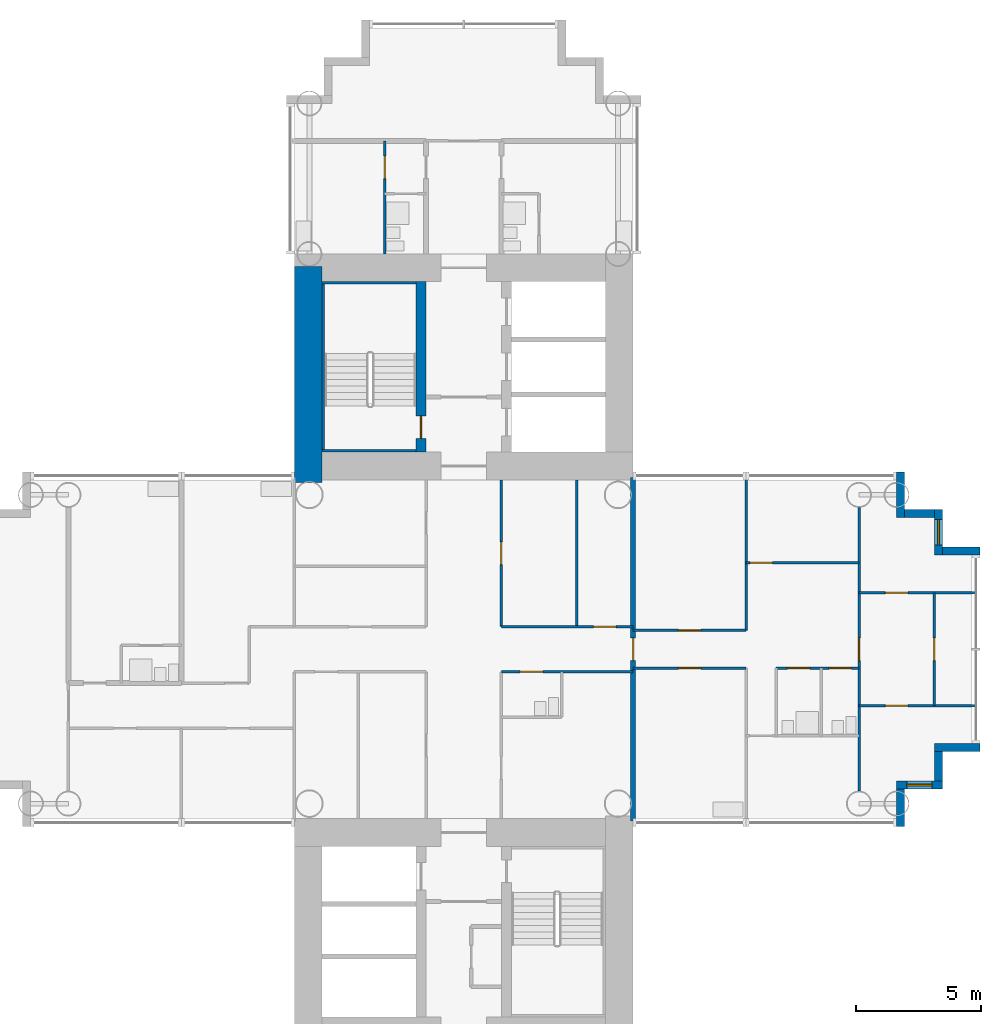
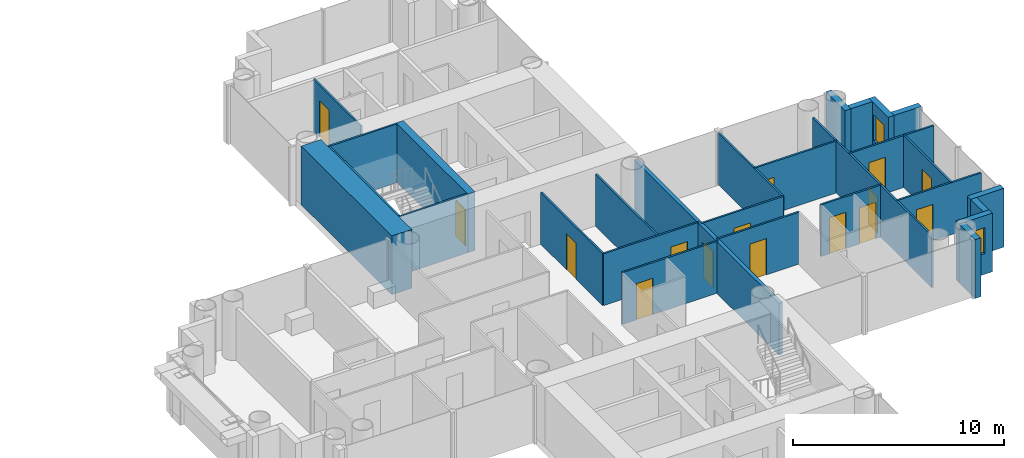
# One storey, part 15 of 22: 28 walls, 15 doors, 2 windows, 17 openings.
"""IFC4 building model written with IfcOpenShell, lengths in metres."""

from ifc_helpers import new_model, si_unit, direction, frame, frame_2d, origin, place, context, subcontext, project, spatial, rectangle, extrude, material, layer, layer_set, type_object, element, fill, save


model = new_model("IFC4")

# Units and contexts
model_context = context("Model", 3, precision=1e-05, world=origin(), true_north=direction((0.0, 1.0)))
body_context = subcontext(model_context, "Body", "Model", "MODEL_VIEW")
ifc_project = project(units=[si_unit("LENGTHUNIT", "METRE"), si_unit("AREAUNIT", "SQUARE_METRE"), si_unit("VOLUMEUNIT", "CUBIC_METRE"), si_unit("PLANEANGLEUNIT", "RADIAN"), si_unit("MASSUNIT", "GRAM", prefix="KILO")], contexts=[model_context])

# Site, building, storey
site_placement = place(None, origin())
site = spatial("IfcSite", under=ifc_project, at=site_placement, CompositionType="ELEMENT")
building_placement = place(site_placement, origin())
building = spatial("IfcBuilding", under=site, at=building_placement, Name="Ipe Terrace Towers", CompositionType="ELEMENT")
storey_placement = place(building_placement, frame((0.0, 0.0, 68.699951171875)))
storey = spatial("IfcBuildingStorey", under=building, at=storey_placement, Name="L18", CompositionType="ELEMENT", Elevation=68.699951171875)

# Wall
ifc_material_1 = material(Name="Concrete C40/50 with buff precast cladding", Category="concrete")
ifc_layer_1 = layer(ifc_material_1, 0.320068359375)
ifc_layer_set_1 = layer_set([ifc_layer_1], Name="BUFF CLADDING WALL 320")
wall_type_1 = type_object("IfcWallType", Name="BUFF CLADDING WALL 320", PredefinedType="STANDARD", material=ifc_layer_set_1)
wall_1_placement = place(storey_placement, frame((53.409912109375, -7.070068359375, -0.300048828125), z_axis=(0.0, 0.0, 1.0), x_axis=(0.0, 1.0, 0.0)))
element("IfcWall", 1, at=wall_1_placement, inside=storey, type_object=wall_type_1, Name="T2-W-L18-08a wall", PredefinedType="STANDARD", context=body_context, shape_type="SweptSolid", body=[
    extrude(rectangle(XDim=1.5, YDim=0.320068359375, at=frame_2d((0.75, 0.0))), origin(), (0.0, 0.0, 1.0), 3.400146484375),
])

# Wall, opening, window
wall_2_placement = place(storey_placement, frame((53.25, -5.409912109375, -0.300048828125), z_axis=(0.0, 0.0, 1.0), x_axis=(1.0, 0.0, 0.0)))
wall_2 = element("IfcWall", 2, at=wall_2_placement, inside=storey, type_object=wall_type_1, Name="T2-W-L18-09a wall", PredefinedType="STANDARD", context=body_context, shape_type="SweptSolid", body=[
    extrude(rectangle(XDim=1.820068359375, YDim=0.320068359375, at=frame_2d((0.91015625, 0.0))), origin(), (0.0, 0.0, 1.0), 3.400146484375),
])
opening_1_placement = place(wall_2_placement, frame((0.409912109375, 0.0, 1.199951171875)))
opening_1 = element("IfcOpeningElement", 3, at=opening_1_placement, cuts=wall_2, Name="Opening T2-W-05-L18-02", PredefinedType="OPENING", context=body_context, shape_type="SweptSolid", body=[
    extrude(rectangle(XDim=1.0, YDim=1.5, at=frame_2d((0.5, 0.75))), frame((0.0, 0.169921875, 0.0), z_axis=(0.0, -1.0, 0.0), x_axis=(1.0, 0.0, 0.0)), (0.0, 0.0, 1.0), 0.340087890625),
])
ifc_material_2 = material(Name="Glass, clear laminated", Category="glass")
window_type = type_object("IfcWindowType", Name="DWELLING WINDOW 1000 x 1500", PartitioningType="SINGLE_PANEL", PredefinedType="WINDOW", material=ifc_material_2)
window_1_placement = place(opening_1_placement, origin())
window_1 = element("IfcWindow", 4, at=window_1_placement, inside=storey, type_object=window_type, Name="W-05 window", OverallHeight=1.5, OverallWidth=1.0, PartitioningType="SINGLE_PANEL", PredefinedType="WINDOW", context=body_context, shape_type="SweptSolid", body=[
    extrude(rectangle(XDim=1.0, YDim=1.5, at=frame_2d((0.5, 0.75))), frame((0.0, 0.030029296875, 0.0), z_axis=(0.0, -1.0, 0.0), x_axis=(1.0, 0.0, 0.0)), (0.0, 0.0, 1.0), 0.06005859375),
])
fill(opening_1, window_1)

# Walls
wall_3_placement = place(storey_placement, frame((54.909912109375, -5.25, -0.300048828125), z_axis=(0.0, 0.0, 1.0), x_axis=(0.0, 1.0, 0.0)))
element("IfcWall", 5, at=wall_3_placement, inside=storey, type_object=wall_type_1, Name="T2-W-L18-10a wall", PredefinedType="STANDARD", context=body_context, shape_type="SweptSolid", body=[
    extrude(rectangle(XDim=1.179931640625, YDim=0.320068359375, at=frame_2d((0.58984375, 0.0))), origin(), (0.0, 0.0, 1.0), 3.400146484375),
])
wall_4_placement = place(storey_placement, frame((54.75, -3.909912109375, -0.300048828125), z_axis=(0.0, 0.0, 1.0), x_axis=(1.0, 0.0, 0.0)))
element("IfcWall", 6, at=wall_4_placement, inside=storey, type_object=wall_type_1, Name="T2-W-L18-11a wall", PredefinedType="STANDARD", context=body_context, shape_type="SweptSolid", body=[
    extrude(rectangle(XDim=1.820068359375, YDim=0.320068359375, at=frame_2d((0.91015625, 0.0))), origin(), (0.0, 0.0, 1.0), 3.400146484375),
])
wall_5_placement = place(storey_placement, frame((56.570068359375, 3.909912109375, -0.300048828125), z_axis=(0.0, 0.0, 1.0), x_axis=(-1.0, 0.0, 0.0)))
element("IfcWall", 7, at=wall_5_placement, inside=storey, type_object=wall_type_1, Name="T2-W-L18-13a wall", PredefinedType="STANDARD", context=body_context, shape_type="SweptSolid", body=[
    extrude(rectangle(XDim=1.5, YDim=0.320068359375, at=frame_2d((0.75, 0.0))), origin(), (0.0, 0.0, 1.0), 3.400146484375),
])

# Wall, opening, window
wall_6_placement = place(storey_placement, frame((54.909912109375, 3.75, -0.300048828125), z_axis=(0.0, 0.0, 1.0), x_axis=(0.0, 1.0, 0.0)))
wall_6 = element("IfcWall", 8, at=wall_6_placement, inside=storey, type_object=wall_type_1, Name="T2-W-L18-14a wall", PredefinedType="STANDARD", context=body_context, shape_type="SweptSolid", body=[
    extrude(rectangle(XDim=1.820068359375, YDim=0.320068359375, at=frame_2d((0.91015625, 0.0))), origin(), (0.0, 0.0, 1.0), 3.400146484375),
])
opening_2_placement = place(wall_6_placement, frame((0.409912109375, 0.0, 1.199951171875)))
opening_2 = element("IfcOpeningElement", 9, at=opening_2_placement, cuts=wall_6, Name="Opening T2-W-05-L18-01", PredefinedType="OPENING", context=body_context, shape_type="SweptSolid", body=[
    extrude(rectangle(XDim=1.0, YDim=1.5, at=frame_2d((0.5, 0.75))), frame((0.0, 0.169921875, 0.0), z_axis=(0.0, -1.0, 0.0), x_axis=(1.0, 0.0, 0.0)), (0.0, 0.0, 1.0), 0.340087890625),
])
window_2_placement = place(opening_2_placement, origin())
window_2 = element("IfcWindow", 10, at=window_2_placement, inside=storey, type_object=window_type, Name="W-05 window", OverallHeight=1.5, OverallWidth=1.0, PartitioningType="SINGLE_PANEL", PredefinedType="WINDOW", context=body_context, shape_type="SweptSolid", body=[
    extrude(rectangle(XDim=1.0, YDim=1.5, at=frame_2d((0.5, 0.75))), frame((0.0, 0.030029296875, 0.0), z_axis=(0.0, -1.0, 0.0), x_axis=(1.0, 0.0, 0.0)), (0.0, 0.0, 1.0), 0.06005859375),
])
fill(opening_2, window_2)

# Walls
wall_7_placement = place(storey_placement, frame((54.75, 5.409912109375, -0.300048828125), z_axis=(0.0, 0.0, 1.0), x_axis=(-1.0, 0.0, 0.0)))
element("IfcWall", 11, at=wall_7_placement, inside=storey, type_object=wall_type_1, Name="T2-W-L18-15a wall", PredefinedType="STANDARD", context=body_context, shape_type="SweptSolid", body=[
    extrude(rectangle(XDim=1.179931640625, YDim=0.320068359375, at=frame_2d((0.58984375, 0.0))), origin(), (0.0, 0.0, 1.0), 3.400146484375),
])
wall_8_placement = place(storey_placement, frame((53.409912109375, 5.25, -0.300048828125), z_axis=(0.0, 0.0, 1.0), x_axis=(0.0, 1.0, 0.0)))
element("IfcWall", 12, at=wall_8_placement, inside=storey, type_object=wall_type_1, Name="T2-W-L18-16a wall", PredefinedType="STANDARD", context=body_context, shape_type="SweptSolid", body=[
    extrude(rectangle(XDim=1.820068359375, YDim=0.320068359375, at=frame_2d((0.91015625, 0.0))), origin(), (0.0, 0.0, 1.0), 3.400146484375),
])

# Wall, opening, door
ifc_material_3 = material(Name="Gypsum board partition", Category="plasterboard")
ifc_layer_2 = layer(ifc_material_3, 0.10009765625)
ifc_layer_set_2 = layer_set([ifc_layer_2], Name="Gypsum board partition 100 mm")
wall_type_2 = type_object("IfcWallType", Name="Gypsum board partition 100 mm", PredefinedType="PARTITIONING", material=ifc_layer_set_2)
wall_9_placement = place(storey_placement, frame((56.35009765625, -2.25, 0.0), z_axis=(0.0, 0.0, 1.0), x_axis=(-1.0, 0.0, 0.0)))
wall_9 = element("IfcWall", 13, at=wall_9_placement, inside=storey, type_object=wall_type_2, Name="Gypsum board partition T2 L18 W07", PredefinedType="PARTITIONING", context=body_context, shape_type="SweptSolid", body=[
    extrude(rectangle(XDim=4.60009765625, YDim=0.10009765625, at=frame_2d((2.300048828125, 0.0))), origin(), (0.0, 0.0, 1.0), 3.0),
])
opening_3_placement = place(wall_9_placement, frame((2.64990234375, 0.0, 0.0)))
opening_3 = element("IfcOpeningElement", 14, at=opening_3_placement, cuts=wall_9, Name="Opening T2-Z1F-25", PredefinedType="OPENING", context=body_context, shape_type="SweptSolid", body=[
    extrude(rectangle(XDim=0.89990234375, YDim=2.10009765625, at=frame_2d((0.449951171875, 1.050048828125))), frame((0.0, 0.06005859375, 0.0), z_axis=(0.0, -1.0, 0.0), x_axis=(1.0, 0.0, 0.0)), (0.0, 0.0, 1.0), 0.1201171875),
])
ifc_material_4 = material(Name="Timber door leaf", Category="wood")
door_type_1 = type_object("IfcDoorType", Name="Bedroom door 900 x 2100", OperationType="NOTDEFINED", PredefinedType="DOOR", material=ifc_material_4)
door_1_placement = place(opening_3_placement, origin())
door_1 = element("IfcDoor", 15, at=door_1_placement, inside=storey, type_object=door_type_1, Name="Bedroom door T2-Z1F-25", OperationType="SINGLE_SWING_LEFT", OverallHeight=2.10009765625, OverallWidth=0.89990234375, PredefinedType="DOOR", context=body_context, shape_type="SweptSolid", body=[
    extrude(rectangle(XDim=0.89990234375, YDim=2.10009765625, at=frame_2d((0.449951171875, 1.050048828125))), frame((0.0, 0.02490234375, 0.0), z_axis=(0.0, -1.0, 0.0), x_axis=(1.0, 0.0, 0.0)), (0.0, 0.0, 1.0), 0.050048828125),
])
fill(opening_3, door_1)

wall_10_placement = place(storey_placement, frame((42.75, -0.89990234375, 0.0), z_axis=(0.0, 0.0, 1.0), x_axis=(-1.0, 0.0, 0.0)))
wall_10 = element("IfcWall", 16, at=wall_10_placement, inside=storey, type_object=wall_type_2, Name="Gypsum board partition T2 L18 W10", PredefinedType="PARTITIONING", context=body_context, shape_type="SweptSolid", body=[
    extrude(rectangle(XDim=5.25, YDim=0.10009765625, at=frame_2d((2.625, 0.0))), origin(), (0.0, 0.0, 1.0), 3.0),
])
opening_4_placement = place(wall_10_placement, frame((3.60009765625, 0.0, 0.0)))
opening_4 = element("IfcOpeningElement", 17, at=opening_4_placement, cuts=wall_10, Name="Opening T2-Z1F-01", PredefinedType="OPENING", context=body_context, shape_type="SweptSolid", body=[
    extrude(rectangle(XDim=0.89990234375, YDim=2.10009765625, at=frame_2d((0.449951171875, 1.050048828125))), frame((0.0, 0.06005859375, 0.0), z_axis=(0.0, -1.0, 0.0), x_axis=(1.0, 0.0, 0.0)), (0.0, 0.0, 1.0), 0.1201171875),
])
ifc_material_5 = material(Name="Timber door leaf", Category="wood")
door_type_2 = type_object("IfcDoorType", Name="Bathroom door 900 x 2100", OperationType="NOTDEFINED", PredefinedType="DOOR", material=ifc_material_5)
door_2_placement = place(opening_4_placement, origin())
door_2 = element("IfcDoor", 18, at=door_2_placement, inside=storey, type_object=door_type_2, Name="Bathroom door T2-Z1F-01", OperationType="SINGLE_SWING_LEFT", OverallHeight=2.10009765625, OverallWidth=0.89990234375, PredefinedType="DOOR", context=body_context, shape_type="SweptSolid", body=[
    extrude(rectangle(XDim=0.89990234375, YDim=2.10009765625, at=frame_2d((0.449951171875, 1.050048828125))), frame((0.0, 0.02490234375, 0.0), z_axis=(0.0, -1.0, 0.0), x_axis=(1.0, 0.0, 0.0)), (0.0, 0.0, 1.0), 0.050048828125),
])
fill(opening_4, door_2)

# Wall, openings, doors
wall_11_placement = place(storey_placement, frame((51.75, -0.75, 0.0), z_axis=(0.0, 0.0, 1.0), x_axis=(-1.0, 0.0, 0.0)))
wall_11 = element("IfcWall", 19, at=wall_11_placement, inside=storey, type_object=wall_type_2, Name="Gypsum board partition T2 L18 W12", PredefinedType="PARTITIONING", context=body_context, shape_type="SweptSolid", body=[
    extrude(rectangle(XDim=3.300048828125, YDim=0.10009765625, at=frame_2d((1.64990234375, 0.0))), origin(), (0.0, 0.0, 1.0), 3.0),
])
opening_5_placement = place(wall_11_placement, frame((1.949951171875, 0.0, 0.0)))
opening_5 = element("IfcOpeningElement", 20, at=opening_5_placement, cuts=wall_11, Name="Opening T2-Z1F-18", PredefinedType="OPENING", context=body_context, shape_type="SweptSolid", body=[
    extrude(rectangle(XDim=0.89990234375, YDim=2.10009765625, at=frame_2d((0.449951171875, 1.050048828125))), frame((0.0, 0.06005859375, 0.0), z_axis=(0.0, -1.0, 0.0), x_axis=(1.0, 0.0, 0.0)), (0.0, 0.0, 1.0), 0.1201171875),
])
opening_6_placement = place(wall_11_placement, frame((0.300048828125, 0.0, 0.0)))
opening_6 = element("IfcOpeningElement", 21, at=opening_6_placement, cuts=wall_11, Name="Opening T2-Z1F-19", PredefinedType="OPENING", context=body_context, shape_type="SweptSolid", body=[
    extrude(rectangle(XDim=0.89990234375, YDim=2.10009765625, at=frame_2d((0.449951171875, 1.050048828125))), frame((0.0, 0.06005859375, 0.0), z_axis=(0.0, -1.0, 0.0), x_axis=(1.0, 0.0, 0.0)), (0.0, 0.0, 1.0), 0.1201171875),
])
door_3_placement = place(opening_5_placement, origin())
door_3 = element("IfcDoor", 22, at=door_3_placement, inside=storey, type_object=door_type_2, Name="Bathroom door T2-Z1F-18", OperationType="SINGLE_SWING_LEFT", OverallHeight=2.10009765625, OverallWidth=0.89990234375, PredefinedType="DOOR", context=body_context, shape_type="SweptSolid", body=[
    extrude(rectangle(XDim=0.89990234375, YDim=2.10009765625, at=frame_2d((0.449951171875, 1.050048828125))), frame((0.0, 0.02490234375, 0.0), z_axis=(0.0, -1.0, 0.0), x_axis=(1.0, 0.0, 0.0)), (0.0, 0.0, 1.0), 0.050048828125),
])
fill(opening_5, door_3)
door_4_placement = place(opening_6_placement, origin())
door_4 = element("IfcDoor", 23, at=door_4_placement, inside=storey, type_object=door_type_2, Name="Bathroom door T2-Z1F-19", OperationType="SINGLE_SWING_RIGHT", OverallHeight=2.10009765625, OverallWidth=0.89990234375, PredefinedType="DOOR", context=body_context, shape_type="SweptSolid", body=[
    extrude(rectangle(XDim=0.89990234375, YDim=2.10009765625, at=frame_2d((0.449951171875, 1.050048828125))), frame((0.0, 0.02490234375, 0.0), z_axis=(0.0, -1.0, 0.0), x_axis=(1.0, 0.0, 0.0)), (0.0, 0.0, 1.0), 0.050048828125),
])
fill(opening_6, door_4)

# Wall, opening, door
wall_12_placement = place(storey_placement, frame((47.25, -0.75, 0.0), z_axis=(0.0, 0.0, 1.0), x_axis=(-1.0, 0.0, 0.0)))
wall_12 = element("IfcWall", 24, at=wall_12_placement, inside=storey, type_object=wall_type_2, Name="Gypsum board partition T2 L18 W13", PredefinedType="PARTITIONING", context=body_context, shape_type="SweptSolid", body=[
    extrude(rectangle(XDim=4.5, YDim=0.10009765625, at=frame_2d((2.25, 0.0))), origin(), (0.0, 0.0, 1.0), 3.0),
])
opening_7_placement = place(wall_12_placement, frame((1.800048828125, 0.0, 0.0)))
opening_7 = element("IfcOpeningElement", 25, at=opening_7_placement, cuts=wall_12, Name="Opening T2-Z1F-16", PredefinedType="OPENING", context=body_context, shape_type="SweptSolid", body=[
    extrude(rectangle(XDim=0.89990234375, YDim=2.10009765625, at=frame_2d((0.449951171875, 1.050048828125))), frame((0.0, 0.06005859375, 0.0), z_axis=(0.0, -1.0, 0.0), x_axis=(1.0, 0.0, 0.0)), (0.0, 0.0, 1.0), 0.1201171875),
])
ifc_material_6 = material(Name="Timber door leaf", Category="wood")
door_type_3 = type_object("IfcDoorType", Name="Lounge door 900 x 2100", OperationType="NOTDEFINED", PredefinedType="DOOR", material=ifc_material_6)
door_5_placement = place(opening_7_placement, origin())
door_5 = element("IfcDoor", 26, at=door_5_placement, inside=storey, type_object=door_type_3, Name="Lounge door T2-Z1F-16", OperationType="SINGLE_SWING_LEFT", OverallHeight=2.10009765625, OverallWidth=0.89990234375, PredefinedType="DOOR", context=body_context, shape_type="SweptSolid", body=[
    extrude(rectangle(XDim=0.89990234375, YDim=2.10009765625, at=frame_2d((0.449951171875, 1.050048828125))), frame((0.0, 0.02490234375, 0.0), z_axis=(0.0, -1.0, 0.0), x_axis=(1.0, 0.0, 0.0)), (0.0, 0.0, 1.0), 0.050048828125),
])
fill(opening_7, door_5)

wall_13_placement = place(storey_placement, frame((47.25, 0.75, 0.0), z_axis=(0.0, 0.0, 1.0), x_axis=(-1.0, 0.0, 0.0)))
wall_13 = element("IfcWall", 27, at=wall_13_placement, inside=storey, type_object=wall_type_2, Name="Gypsum board partition T2 L18 W15", PredefinedType="PARTITIONING", context=body_context, shape_type="SweptSolid", body=[
    extrude(rectangle(XDim=4.5, YDim=0.10009765625, at=frame_2d((2.25, 0.0))), origin(), (0.0, 0.0, 1.0), 3.0),
])
opening_8_placement = place(wall_13_placement, frame((1.800048828125, 0.0, 0.0)))
opening_8 = element("IfcOpeningElement", 28, at=opening_8_placement, cuts=wall_13, Name="Opening T2-Z1F-15", PredefinedType="OPENING", context=body_context, shape_type="SweptSolid", body=[
    extrude(rectangle(XDim=0.89990234375, YDim=2.10009765625, at=frame_2d((0.449951171875, 1.050048828125))), frame((0.0, 0.06005859375, 0.0), z_axis=(0.0, -1.0, 0.0), x_axis=(1.0, 0.0, 0.0)), (0.0, 0.0, 1.0), 0.1201171875),
])
door_6_placement = place(opening_8_placement, origin())
door_6 = element("IfcDoor", 29, at=door_6_placement, inside=storey, type_object=door_type_3, Name="Lounge door T2-Z1F-15", OperationType="SINGLE_SWING_RIGHT", OverallHeight=2.10009765625, OverallWidth=0.89990234375, PredefinedType="DOOR", context=body_context, shape_type="SweptSolid", body=[
    extrude(rectangle(XDim=0.89990234375, YDim=2.10009765625, at=frame_2d((0.449951171875, 1.050048828125))), frame((0.0, 0.02490234375, 0.0), z_axis=(0.0, -1.0, 0.0), x_axis=(1.0, 0.0, 0.0)), (0.0, 0.0, 1.0), 0.050048828125),
])
fill(opening_8, door_6)

wall_14_placement = place(storey_placement, frame((42.75, 0.89990234375, 0.0), z_axis=(0.0, 0.0, 1.0), x_axis=(-1.0, 0.0, 0.0)))
wall_14 = element("IfcWall", 30, at=wall_14_placement, inside=storey, type_object=wall_type_2, Name="Gypsum board partition T2 L18 W16", PredefinedType="PARTITIONING", context=body_context, shape_type="SweptSolid", body=[
    extrude(rectangle(XDim=5.25, YDim=0.10009765625, at=frame_2d((2.625, 0.0))), origin(), (0.0, 0.0, 1.0), 3.0),
])
opening_9_placement = place(wall_14_placement, frame((0.675048828125, 0.0, 0.0)))
opening_9 = element("IfcOpeningElement", 31, at=opening_9_placement, cuts=wall_14, Name="Opening T2-Z1F-08", PredefinedType="OPENING", context=body_context, shape_type="SweptSolid", body=[
    extrude(rectangle(XDim=0.89990234375, YDim=2.10009765625, at=frame_2d((0.449951171875, 1.050048828125))), frame((0.0, 0.06005859375, 0.0), z_axis=(0.0, -1.0, 0.0), x_axis=(1.0, 0.0, 0.0)), (0.0, 0.0, 1.0), 0.1201171875),
])
door_7_placement = place(opening_9_placement, origin())
door_7 = element("IfcDoor", 32, at=door_7_placement, inside=storey, type_object=door_type_3, Name="Lounge door T2-Z1F-08", OperationType="SINGLE_SWING_LEFT", OverallHeight=2.10009765625, OverallWidth=0.89990234375, PredefinedType="DOOR", context=body_context, shape_type="SweptSolid", body=[
    extrude(rectangle(XDim=0.89990234375, YDim=2.10009765625, at=frame_2d((0.449951171875, 1.050048828125))), frame((0.0, 0.02490234375, 0.0), z_axis=(0.0, -1.0, 0.0), x_axis=(1.0, 0.0, 0.0)), (0.0, 0.0, 1.0), 0.050048828125),
])
fill(opening_9, door_7)

wall_15_placement = place(storey_placement, frame((56.35009765625, 2.25, 0.0), z_axis=(0.0, 0.0, 1.0), x_axis=(-1.0, 0.0, 0.0)))
wall_15 = element("IfcWall", 33, at=wall_15_placement, inside=storey, type_object=wall_type_2, Name="Gypsum board partition T2 L18 W18", PredefinedType="PARTITIONING", context=body_context, shape_type="SweptSolid", body=[
    extrude(rectangle(XDim=4.60009765625, YDim=0.10009765625, at=frame_2d((2.300048828125, 0.0))), origin(), (0.0, 0.0, 1.0), 3.0),
])
opening_10_placement = place(wall_15_placement, frame((2.64990234375, 0.0, 0.0)))
opening_10 = element("IfcOpeningElement", 34, at=opening_10_placement, cuts=wall_15, Name="Opening T2-Z1F-24", PredefinedType="OPENING", context=body_context, shape_type="SweptSolid", body=[
    extrude(rectangle(XDim=0.89990234375, YDim=2.10009765625, at=frame_2d((0.449951171875, 1.050048828125))), frame((0.0, 0.06005859375, 0.0), z_axis=(0.0, -1.0, 0.0), x_axis=(1.0, 0.0, 0.0)), (0.0, 0.0, 1.0), 0.1201171875),
])
door_8_placement = place(opening_10_placement, origin())
door_8 = element("IfcDoor", 35, at=door_8_placement, inside=storey, type_object=door_type_1, Name="Bedroom door T2-Z1F-24", OperationType="SINGLE_SWING_RIGHT", OverallHeight=2.10009765625, OverallWidth=0.89990234375, PredefinedType="DOOR", context=body_context, shape_type="SweptSolid", body=[
    extrude(rectangle(XDim=0.89990234375, YDim=2.10009765625, at=frame_2d((0.449951171875, 1.050048828125))), frame((0.0, 0.02490234375, 0.0), z_axis=(0.0, -1.0, 0.0), x_axis=(1.0, 0.0, 0.0)), (0.0, 0.0, 1.0), 0.050048828125),
])
fill(opening_10, door_8)

wall_16_placement = place(storey_placement, frame((51.75, 3.449951171875, 0.0), z_axis=(0.0, 0.0, 1.0), x_axis=(-1.0, 0.0, 0.0)))
wall_16 = element("IfcWall", 36, at=wall_16_placement, inside=storey, type_object=wall_type_2, Name="Gypsum board partition T2 L18 W20", PredefinedType="PARTITIONING", context=body_context, shape_type="SweptSolid", body=[
    extrude(rectangle(XDim=4.5, YDim=0.10009765625, at=frame_2d((2.25, 0.0))), origin(), (0.0, 0.0, 1.0), 3.0),
])
opening_11_placement = place(wall_16_placement, frame((3.449951171875, 0.0, 0.0)))
opening_11 = element("IfcOpeningElement", 37, at=opening_11_placement, cuts=wall_16, Name="Opening T2-Z1F-20", PredefinedType="OPENING", context=body_context, shape_type="SweptSolid", body=[
    extrude(rectangle(XDim=0.89990234375, YDim=2.10009765625, at=frame_2d((0.449951171875, 1.050048828125))), frame((0.0, 0.06005859375, 0.0), z_axis=(0.0, -1.0, 0.0), x_axis=(1.0, 0.0, 0.0)), (0.0, 0.0, 1.0), 0.1201171875),
])
door_9_placement = place(opening_11_placement, origin())
door_9 = element("IfcDoor", 38, at=door_9_placement, inside=storey, type_object=door_type_1, Name="Bedroom door T2-Z1F-20", OperationType="SINGLE_SWING_RIGHT", OverallHeight=2.10009765625, OverallWidth=0.89990234375, PredefinedType="DOOR", context=body_context, shape_type="SweptSolid", body=[
    extrude(rectangle(XDim=0.89990234375, YDim=2.10009765625, at=frame_2d((0.449951171875, 1.050048828125))), frame((0.0, 0.02490234375, 0.0), z_axis=(0.0, -1.0, 0.0), x_axis=(1.0, 0.0, 0.0)), (0.0, 0.0, 1.0), 0.050048828125),
])
fill(opening_11, door_9)

wall_17_placement = place(storey_placement, frame((54.75, -2.25, 0.0), z_axis=(0.0, 0.0, 1.0), x_axis=(0.0, 1.0, 0.0)))
wall_17 = element("IfcWall", 39, at=wall_17_placement, inside=storey, type_object=wall_type_2, Name="Gypsum board partition T2 L18 W26", PredefinedType="PARTITIONING", context=body_context, shape_type="SweptSolid", body=[
    extrude(rectangle(XDim=4.5, YDim=0.10009765625, at=frame_2d((2.25, 0.0))), origin(), (0.0, 0.0, 1.0), 3.0),
])
opening_12_placement = place(wall_17_placement, frame((1.800048828125, 0.0, 0.0)))
opening_12 = element("IfcOpeningElement", 40, at=opening_12_placement, cuts=wall_17, Name="Opening T2-Z1F-22", PredefinedType="OPENING", context=body_context, shape_type="SweptSolid", body=[
    extrude(rectangle(XDim=0.89990234375, YDim=2.10009765625, at=frame_2d((0.449951171875, 1.050048828125))), frame((0.0, 0.06005859375, 0.0), z_axis=(0.0, -1.0, 0.0), x_axis=(1.0, 0.0, 0.0)), (0.0, 0.0, 1.0), 0.1201171875),
])
ifc_material_7 = material(Name="Timber door leaf", Category="wood")
door_type_4 = type_object("IfcDoorType", Name="Store door 900 x 2100", OperationType="NOTDEFINED", PredefinedType="DOOR", material=ifc_material_7)
door_10_placement = place(opening_12_placement, origin())
door_10 = element("IfcDoor", 41, at=door_10_placement, inside=storey, type_object=door_type_4, Name="Store door T2-Z1F-22", OperationType="SINGLE_SWING_RIGHT", OverallHeight=2.10009765625, OverallWidth=0.89990234375, PredefinedType="DOOR", context=body_context, shape_type="SweptSolid", body=[
    extrude(rectangle(XDim=0.89990234375, YDim=2.10009765625, at=frame_2d((0.449951171875, 1.050048828125))), frame((0.0, 0.02490234375, 0.0), z_axis=(0.0, -1.0, 0.0), x_axis=(1.0, 0.0, 0.0)), (0.0, 0.0, 1.0), 0.050048828125),
])
fill(opening_12, door_10)

wall_18_placement = place(storey_placement, frame((51.75, -5.64990234375, 0.0), z_axis=(0.0, 0.0, 1.0), x_axis=(0.0, 1.0, 0.0)))
wall_18 = element("IfcWall", 42, at=wall_18_placement, inside=storey, type_object=wall_type_2, Name="Gypsum board partition T2 L18 W27", PredefinedType="PARTITIONING", context=body_context, shape_type="SweptSolid", body=[
    extrude(rectangle(XDim=11.2998046875, YDim=0.10009765625, at=frame_2d((5.64990234375, 0.0))), origin(), (0.0, 0.0, 1.0), 3.0),
])
opening_13_placement = place(wall_18_placement, frame((5.199951171875, 0.0, 0.0)))
opening_13 = element("IfcOpeningElement", 43, at=opening_13_placement, cuts=wall_18, Name="Opening T2-Z1F-23", PredefinedType="OPENING", context=body_context, shape_type="SweptSolid", body=[
    extrude(rectangle(XDim=0.89990234375, YDim=2.10009765625, at=frame_2d((0.449951171875, 1.050048828125))), frame((0.0, 0.06005859375, 0.0), z_axis=(0.0, -1.0, 0.0), x_axis=(1.0, 0.0, 0.0)), (0.0, 0.0, 1.0), 0.1201171875),
])
door_11_placement = place(opening_13_placement, origin())
door_11 = element("IfcDoor", 44, at=door_11_placement, inside=storey, type_object=door_type_3, Name="Lounge door T2-Z1F-23", OperationType="SINGLE_SWING_RIGHT", OverallHeight=2.10009765625, OverallWidth=0.89990234375, PredefinedType="DOOR", context=body_context, shape_type="SweptSolid", body=[
    extrude(rectangle(XDim=0.89990234375, YDim=2.10009765625, at=frame_2d((0.449951171875, 1.050048828125))), frame((0.0, 0.02490234375, 0.0), z_axis=(0.0, -1.0, 0.0), x_axis=(1.0, 0.0, 0.0)), (0.0, 0.0, 1.0), 0.050048828125),
])
fill(opening_13, door_11)

# Walls
wall_19_placement = place(storey_placement, frame((47.25, 0.75, 0.0), z_axis=(0.0, 0.0, 1.0), x_axis=(0.0, 1.0, 0.0)))
element("IfcWall", 45, at=wall_19_placement, inside=storey, type_object=wall_type_2, Name="Gypsum board partition T2 L18 W31", PredefinedType="PARTITIONING", context=body_context, shape_type="SweptSolid", body=[
    extrude(rectangle(XDim=6.10009765625, YDim=0.10009765625, at=frame_2d((3.050048828125, 0.0))), origin(), (0.0, 0.0, 1.0), 3.0),
])
wall_20_placement = place(storey_placement, frame((40.5, 0.89990234375, 0.0), z_axis=(0.0, 0.0, 1.0), x_axis=(0.0, 1.0, 0.0)))
element("IfcWall", 46, at=wall_20_placement, inside=storey, type_object=wall_type_2, Name="Gypsum board partition T2 L18 W33", PredefinedType="PARTITIONING", context=body_context, shape_type="SweptSolid", body=[
    extrude(rectangle(XDim=5.85009765625, YDim=0.10009765625, at=frame_2d((2.925048828125, 0.0))), origin(), (0.0, 0.0, 1.0), 3.0),
])

# Wall, opening, door
wall_21_placement = place(storey_placement, frame((37.5, 0.89990234375, 0.0), z_axis=(0.0, 0.0, 1.0), x_axis=(0.0, 1.0, 0.0)))
wall_21 = element("IfcWall", 47, at=wall_21_placement, inside=storey, type_object=wall_type_2, Name="Gypsum board partition T2 L18 W39", PredefinedType="PARTITIONING", context=body_context, shape_type="SweptSolid", body=[
    extrude(rectangle(XDim=5.85009765625, YDim=0.10009765625, at=frame_2d((2.925048828125, 0.0))), origin(), (0.0, 0.0, 1.0), 3.0),
])
opening_14_placement = place(wall_21_placement, frame((2.47509765625, 0.0, 0.0)))
opening_14 = element("IfcOpeningElement", 48, at=opening_14_placement, cuts=wall_21, Name="Opening T2-Z1F-07", PredefinedType="OPENING", context=body_context, shape_type="SweptSolid", body=[
    extrude(rectangle(XDim=0.89990234375, YDim=2.10009765625, at=frame_2d((0.449951171875, 1.050048828125))), frame((0.0, 0.06005859375, 0.0), z_axis=(0.0, -1.0, 0.0), x_axis=(1.0, 0.0, 0.0)), (0.0, 0.0, 1.0), 0.1201171875),
])
door_12_placement = place(opening_14_placement, origin())
door_12 = element("IfcDoor", 49, at=door_12_placement, inside=storey, type_object=door_type_3, Name="Lounge door T2-Z1F-07", OperationType="SINGLE_SWING_RIGHT", OverallHeight=2.10009765625, OverallWidth=0.89990234375, PredefinedType="DOOR", context=body_context, shape_type="SweptSolid", body=[
    extrude(rectangle(XDim=0.89990234375, YDim=2.10009765625, at=frame_2d((0.449951171875, 1.050048828125))), frame((0.0, 0.02490234375, 0.0), z_axis=(0.0, -1.0, 0.0), x_axis=(1.0, 0.0, 0.0)), (0.0, 0.0, 1.0), 0.050048828125),
])
fill(opening_14, door_12)

wall_22_placement = place(storey_placement, frame((32.85009765625, 15.75, 0.0), z_axis=(0.0, 0.0, 1.0), x_axis=(0.0, 1.0, 0.0)))
wall_22 = element("IfcWall", 50, at=wall_22_placement, inside=storey, type_object=wall_type_2, Name="Gypsum board partition T2 L18 W48", PredefinedType="PARTITIONING", context=body_context, shape_type="SweptSolid", body=[
    extrude(rectangle(XDim=4.5, YDim=0.10009765625, at=frame_2d((2.25, 0.0))), origin(), (0.0, 0.0, 1.0), 3.0),
])
opening_15_placement = place(wall_22_placement, frame((3.0, 0.0, 0.0)))
opening_15 = element("IfcOpeningElement", 51, at=opening_15_placement, cuts=wall_22, Name="Opening T2-Z1F-27", PredefinedType="OPENING", context=body_context, shape_type="SweptSolid", body=[
    extrude(rectangle(XDim=0.89990234375, YDim=2.10009765625, at=frame_2d((0.449951171875, 1.050048828125))), frame((0.0, 0.06005859375, 0.0), z_axis=(0.0, -1.0, 0.0), x_axis=(1.0, 0.0, 0.0)), (0.0, 0.0, 1.0), 0.1201171875),
])
door_13_placement = place(opening_15_placement, origin())
door_13 = element("IfcDoor", 52, at=door_13_placement, inside=storey, type_object=door_type_1, Name="Bedroom door T2-Z1F-27", OperationType="SINGLE_SWING_LEFT", OverallHeight=2.10009765625, OverallWidth=0.89990234375, PredefinedType="DOOR", context=body_context, shape_type="SweptSolid", body=[
    extrude(rectangle(XDim=0.89990234375, YDim=2.10009765625, at=frame_2d((0.449951171875, 1.050048828125))), frame((0.0, 0.02490234375, 0.0), z_axis=(0.0, -1.0, 0.0), x_axis=(1.0, 0.0, 0.0)), (0.0, 0.0, 1.0), 0.050048828125),
])
fill(opening_15, door_13)

ifc_material_8 = material(Name="Gypsum board party wall", Category="plasterboard")
ifc_layer_3 = layer(ifc_material_8, 0.199951171875)
ifc_layer_set_3 = layer_set([ifc_layer_3], Name="Gypsum board party wall 200 mm")
wall_type_3 = type_object("IfcWallType", Name="Gypsum board party wall 200 mm", PredefinedType="SOLIDWALL", material=ifc_layer_set_3)
wall_23_placement = place(storey_placement, frame((42.75, -6.85009765625, 0.0), z_axis=(0.0, 0.0, 1.0), x_axis=(0.0, 1.0, 0.0)))
wall_23 = element("IfcWall", 53, at=wall_23_placement, inside=storey, type_object=wall_type_3, Name="Gypsum board party wall T2 L18 W32", PredefinedType="SOLIDWALL", context=body_context, shape_type="SweptSolid", body=[
    extrude(rectangle(XDim=13.7001953125, YDim=0.199951171875, at=frame_2d((6.85009765625, 0.0))), origin(), (0.0, 0.0, 1.0), 3.0),
])
opening_16_placement = place(wall_23_placement, frame((6.39990234375, 0.0, 0.0)))
opening_16 = element("IfcOpeningElement", 54, at=opening_16_placement, cuts=wall_23, Name="Opening T2-Z1F-17", PredefinedType="OPENING", context=body_context, shape_type="SweptSolid", body=[
    extrude(rectangle(XDim=0.89990234375, YDim=2.10009765625, at=frame_2d((0.449951171875, 1.050048828125))), frame((0.0, 0.10986328125, 0.0), z_axis=(0.0, -1.0, 0.0), x_axis=(1.0, 0.0, 0.0)), (0.0, 0.0, 1.0), 0.219970703125),
])
ifc_material_9 = material(Name="Fire-rated timber door leaf", Category="wood")
door_type_5 = type_object("IfcDoorType", Name="Flat entrance door 900 x 2100 FD30S", OperationType="NOTDEFINED", PredefinedType="DOOR", material=ifc_material_9)
door_14_placement = place(opening_16_placement, origin())
door_14 = element("IfcDoor", 55, at=door_14_placement, inside=storey, type_object=door_type_5, Name="Flat entrance door T2-Z1F-17", OperationType="SINGLE_SWING_RIGHT", OverallHeight=2.10009765625, OverallWidth=0.89990234375, PredefinedType="DOOR", context=body_context, shape_type="SweptSolid", body=[
    extrude(rectangle(XDim=0.89990234375, YDim=2.10009765625, at=frame_2d((0.449951171875, 1.050048828125))), frame((0.0, 0.02490234375, 0.0), z_axis=(0.0, -1.0, 0.0), x_axis=(1.0, 0.0, 0.0)), (0.0, 0.0, 1.0), 0.050048828125),
])
fill(opening_16, door_14)

# Walls
ifc_material_10 = material(Name="Concrete C60/75", Category="concrete")
ifc_layer_4 = layer(ifc_material_10, 0.10009765625)
ifc_layer_set_4 = layer_set([ifc_layer_4], Name="RW100 CORE INFILL WALL 100 C60-75")
wall_type_4 = type_object("IfcWallType", Name="RW100 CORE INFILL WALL 100 C60-75", PredefinedType="SHEAR", material=ifc_layer_set_4)
wall_24_placement = place(storey_placement, frame((34.10009765625, 14.60009765625, 0.0), z_axis=(0.0, 0.0, 1.0), x_axis=(-1.0, 0.0, 0.0)))
element("IfcWall", 56, at=wall_24_placement, inside=storey, type_object=wall_type_4, Name="Core infill wall T2-C1-far", PredefinedType="SHEAR", context=body_context, shape_type="SweptSolid", body=[
    extrude(rectangle(XDim=3.75, YDim=0.10009765625, at=frame_2d((1.875, 0.0))), origin(), (0.0, 0.0, 1.0), 3.400146484375),
])
wall_25_placement = place(storey_placement, frame((30.39990234375, 7.949951171875, 0.0), z_axis=(0.0, 0.0, 1.0), x_axis=(0.0, 1.0, 0.0)))
element("IfcWall", 57, at=wall_25_placement, inside=storey, type_object=wall_type_4, Name="Core infill wall T2-C1-back", PredefinedType="SHEAR", context=body_context, shape_type="SweptSolid", body=[
    extrude(rectangle(XDim=6.60009765625, YDim=0.10009765625, at=frame_2d((3.300048828125, 0.0))), origin(), (0.0, 0.0, 1.0), 3.400146484375),
])
wall_26_placement = place(storey_placement, frame((34.10009765625, 7.89990234375, 0.0), z_axis=(0.0, 0.0, 1.0), x_axis=(-1.0, 0.0, 0.0)))
element("IfcWall", 58, at=wall_26_placement, inside=storey, type_object=wall_type_4, Name="Core infill wall T2-C1-near", PredefinedType="SHEAR", context=body_context, shape_type="SweptSolid", body=[
    extrude(rectangle(XDim=3.75, YDim=0.10009765625, at=frame_2d((1.875, 0.0))), origin(), (0.0, 0.0, 1.0), 3.400146484375),
])
ifc_material_11 = material(Name="Concrete C60/75", Category="concrete")
ifc_layer_5 = layer(ifc_material_11, 1.10009765625)
ifc_layer_set_5 = layer_set([ifc_layer_5], Name="RW1100 CORE WALL 1100 C60-75")
wall_type_5 = type_object("IfcWallType", Name="RW1100 CORE WALL 1100 C60-75", PredefinedType="SHEAR", material=ifc_layer_set_5)
wall_27_placement = place(storey_placement, frame((29.800048828125, 15.248046875, 0.0), z_axis=(0.0, 0.0, 1.0), x_axis=(0.0, -1.0, 0.0)))
element("IfcWall", 59, at=wall_27_placement, inside=storey, type_object=wall_type_5, Name="Core wall T2-C1-Z1-W04", PredefinedType="SHEAR", context=body_context, shape_type="SweptSolid", body=[
    extrude(rectangle(XDim=8.595947265625, YDim=1.10009765625, at=frame_2d((4.2978515625, 0.0))), origin(), (0.0, 0.0, 1.0), 3.400146484375),
])

# Wall, opening, door
ifc_material_12 = material(Name="Concrete C60/75", Category="concrete")
ifc_layer_6 = layer(ifc_material_12, 0.39990234375)
ifc_layer_set_6 = layer_set([ifc_layer_6], Name="RW400 CORE SPINE WALL 400 C60-75")
wall_type_6 = type_object("IfcWallType", Name="RW400 CORE SPINE WALL 400 C60-75", PredefinedType="SHEAR", material=ifc_layer_set_6)
wall_28_placement = place(storey_placement, frame((34.300048828125, 7.85009765625, 0.0), z_axis=(0.0, 0.0, 1.0), x_axis=(0.0, 1.0, 0.0)))
wall_28 = element("IfcWall", 60, at=wall_28_placement, inside=storey, type_object=wall_type_6, Name="Core spine wall T2-C1-Z1-SW1", PredefinedType="SHEAR", context=body_context, shape_type="SweptSolid", body=[
    extrude(rectangle(XDim=6.7998046875, YDim=0.39990234375, at=frame_2d((3.39990234375, 0.0))), origin(), (0.0, 0.0, 1.0), 3.400146484375),
])
opening_17_placement = place(wall_28_placement, frame((0.550048828125, 0.0, 0.0)))
opening_17 = element("IfcOpeningElement", 61, at=opening_17_placement, cuts=wall_28, Name="Opening T2C1-SD", PredefinedType="OPENING", context=body_context, shape_type="SweptSolid", body=[
    extrude(rectangle(XDim=0.89990234375, YDim=2.10009765625, at=frame_2d((0.449951171875, 1.050048828125))), frame((0.0, 0.2099609375, 0.0), z_axis=(0.0, -1.0, 0.0), x_axis=(1.0, 0.0, 0.0)), (0.0, 0.0, 1.0), 0.419921875),
])
ifc_material_13 = material(Name="Fire-rated timber door leaf", Category="wood")
door_type_6 = type_object("IfcDoorType", Name="Stair door 900 x 2100 FD60", OperationType="NOTDEFINED", PredefinedType="DOOR", material=ifc_material_13)
door_15_placement = place(opening_17_placement, origin())
door_15 = element("IfcDoor", 62, at=door_15_placement, inside=storey, type_object=door_type_6, Name="Stair door T2C1-SD", OperationType="SINGLE_SWING_LEFT", OverallHeight=2.10009765625, OverallWidth=0.89990234375, PredefinedType="DOOR", context=body_context, shape_type="SweptSolid", body=[
    extrude(rectangle(XDim=0.89990234375, YDim=2.10009765625, at=frame_2d((0.449951171875, 1.050048828125))), frame((0.0, 0.02490234375, 0.0), z_axis=(0.0, -1.0, 0.0), x_axis=(1.0, 0.0, 0.0)), (0.0, 0.0, 1.0), 0.050048828125),
])
fill(opening_17, door_15)

save(model, "model.ifc")
